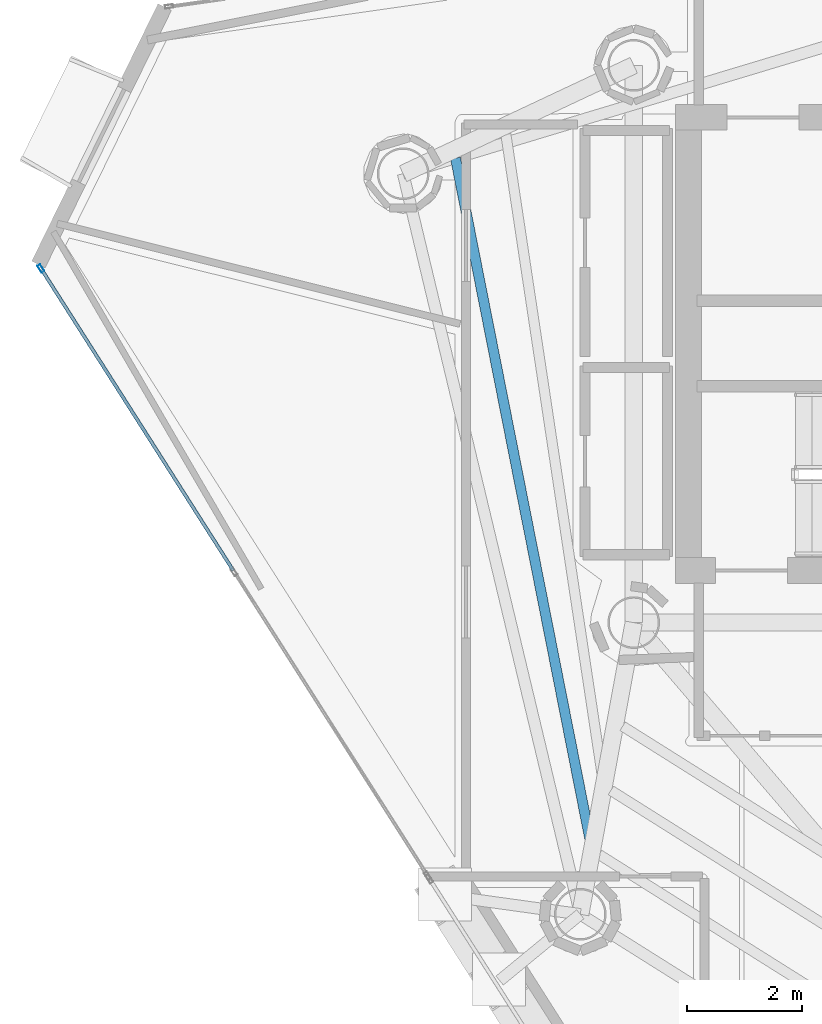
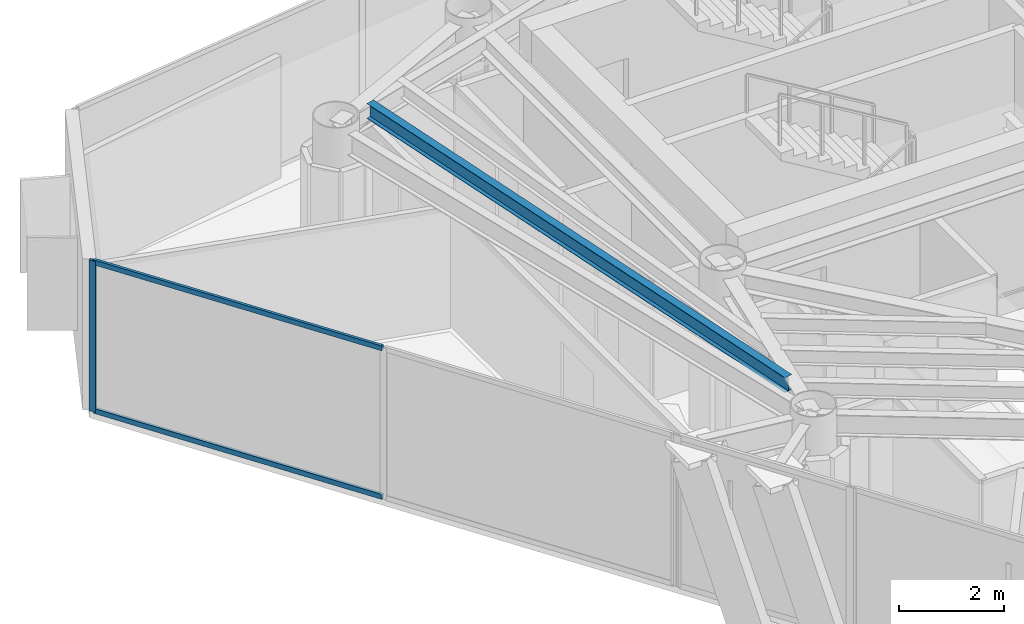
# One storey, part 9 of 25: 3 members, 1 beam, 1 element without a shape of its own.
"""IFC4 building model written with IfcOpenShell, lengths in metres."""

from ifc_helpers import new_model, si_unit, direction, frame, origin, origin_2d, place, context, subcontext, project, spatial, hollow_rectangle, i_section, extrude, material, layer, layer_set, material_profile, profile_set, type_object, element, aggregate, save


model = new_model("IFC4")

# Units and contexts
model_context = context("Model", 3, precision=1e-05, world=origin(), true_north=direction((0.0, 1.0)))
body_context = subcontext(model_context, "Body", "Model", "MODEL_VIEW")
ifc_project = project(units=[si_unit("LENGTHUNIT", "METRE"), si_unit("AREAUNIT", "SQUARE_METRE"), si_unit("VOLUMEUNIT", "CUBIC_METRE"), si_unit("PLANEANGLEUNIT", "RADIAN"), si_unit("MASSUNIT", "GRAM", prefix="KILO")], contexts=[model_context])

# Site, building, storey
site_placement = place(None, origin())
site = spatial("IfcSite", under=ifc_project, at=site_placement, CompositionType="ELEMENT")
building_placement = place(site_placement, origin())
building = spatial("IfcBuilding", under=site, at=building_placement, Name="Qianvela Tower", CompositionType="ELEMENT")
storey_placement = place(building_placement, frame((0.0, 0.0, 288.0)))
storey = spatial("IfcBuildingStorey", under=building, at=storey_placement, Name="L74", CompositionType="ELEMENT", Elevation=288.0)

# Beam
ifc_material_1 = material(Name="Steel Q355B", Category="steel")
ifc_material_profile_1 = material_profile(ifc_material_1, i_section(OverallWidth=0.175048828125, OverallDepth=0.35009765625, WebThickness=0.007080078125, FlangeThickness=0.010986328125, at=origin_2d()), Name="HN350x175x7x11")
ifc_profile_set_1 = profile_set([ifc_material_profile_1], Name="Steel Q355B")
beam_type = type_object("IfcBeamType", Name="BM-HN350-JOIST", PredefinedType="JOIST", material=ifc_profile_set_1)
beam_placement = place(storey_placement, frame((25.498046875, 31.934814453125, 3.343017578125), z_axis=(0.193576445355, -0.981085194977, 0.0), x_axis=(0.981085194977, 0.193576445355, 0.0)))
element("IfcBeam", 1, at=beam_placement, inside=storey, type_object=beam_type, Name="L74 Secondary Composite Floor Joist 3.3", PredefinedType="JOIST", context=body_context, shape_type="SweptSolid", body=[
    extrude(i_section(OverallWidth=0.175048828125, OverallDepth=0.35009765625, WebThickness=0.007080078125, FlangeThickness=0.010986328125, at=origin_2d()), origin(), (0.0, 0.0, 1.0), 12.13037109375),
])

# Curtain wall, members
ifc_material_2 = material(Name="Anodised Architectural Aluminium and Low-E Glass", Category="aluminium")
ifc_layer = layer(ifc_material_2, 0.14990234375)
ifc_layer_set = layer_set([ifc_layer], Name="Anodised Architectural Aluminium and Low-E Glass")
curtain_wall_type = type_object("IfcCurtainWallType", Name="CW-COLIV-Z78", PredefinedType="USERDEFINED", material=ifc_layer_set)
curtain_wall_placement = place(storey_placement, origin())
curtain_wall = element("IfcCurtainWall", 2, at=curtain_wall_placement, inside=storey, type_object=curtain_wall_type, Name="L74 CW-COLIV-Z78 Curtain Wall 04A", ObjectType="CURTAIN_WALL_SYSTEM", PredefinedType="USERDEFINED")
ifc_material_3 = material(Name="Anodised Architectural Aluminium 6063-T6", Category="aluminium")
ifc_material_profile_2 = material_profile(ifc_material_3, hollow_rectangle(XDim=0.06005859375, YDim=0.139892578125, WallThickness=0.00439453125, at=origin_2d()), Name="ALU-MULL-60x140")
ifc_profile_set_2 = profile_set([ifc_material_profile_2], Name="Anodised Architectural Aluminium 6063-T6")
member_type_1 = type_object("IfcMemberType", Name="CW-COLIV-Z78-MULL", PredefinedType="MULLION", material=ifc_profile_set_2)
member_1_placement = place(storey_placement, frame((18.28125, 30.015869140625, 0.0), z_axis=(0.0, 0.0, 1.0), x_axis=(0.843577423445, 0.537007570388, 0.0)))
member_1 = element("IfcMember", 3, at=member_1_placement, type_object=member_type_1, Name="CW-6 mullion 1", PredefinedType="MULLION", context=body_context, shape_type="SweptSolid", body=[
    extrude(hollow_rectangle(XDim=0.06005859375, YDim=0.139892578125, WallThickness=0.00439453125, at=origin_2d()), origin(), (0.0, 0.0, 1.0), 3.52001953125),
])
ifc_material_4 = material(Name="Anodised Architectural Aluminium 6063-T6", Category="aluminium")
ifc_material_profile_3 = material_profile(ifc_material_4, hollow_rectangle(XDim=0.06005859375, YDim=0.114990234375, WallThickness=0.00390625, at=origin_2d()), Name="ALU-TRAN-60x115")
ifc_profile_set_3 = profile_set([ifc_material_profile_3], Name="Anodised Architectural Aluminium 6063-T6")
member_type_2 = type_object("IfcMemberType", Name="CW-COLIV-Z78-TRAN", PredefinedType="USERDEFINED", material=ifc_profile_set_3)
member_2_placement = place(storey_placement, frame((18.29736328125, 29.990478515625, 0.030029296875), z_axis=(0.537025690626, -0.843565888125, 0.0), x_axis=(0.843565888125, 0.537025690626, 0.0)))
member_2 = element("IfcMember", 4, at=member_2_placement, type_object=member_type_2, Name="CW-6 transom 1.1", ObjectType="TRANSOM", PredefinedType="USERDEFINED", context=body_context, shape_type="SweptSolid", body=[
    extrude(hollow_rectangle(XDim=0.06005859375, YDim=0.114990234375, WallThickness=0.00390625, at=origin_2d()), origin(), (0.0, 0.0, 1.0), 6.205078125),
])
member_3_placement = place(storey_placement, frame((18.29736328125, 29.990478515625, 3.489990234375), z_axis=(0.537025690626, -0.843565888125, 0.0), x_axis=(0.843565888125, 0.537025690626, 0.0)))
member_3 = element("IfcMember", 5, at=member_3_placement, type_object=member_type_2, Name="CW-6 transom 1.2", ObjectType="TRANSOM", PredefinedType="USERDEFINED", context=body_context, shape_type="SweptSolid", body=[
    extrude(hollow_rectangle(XDim=0.06005859375, YDim=0.114990234375, WallThickness=0.00390625, at=origin_2d()), origin(), (0.0, 0.0, 1.0), 6.205078125),
])
aggregate(curtain_wall, [member_1, member_2, member_3])

save(model, "model.ifc")
